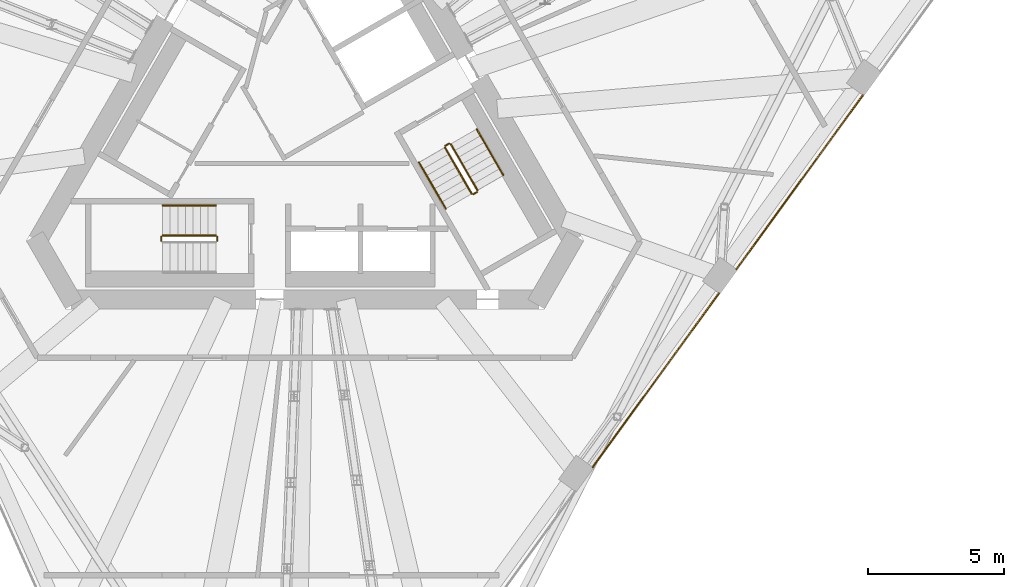
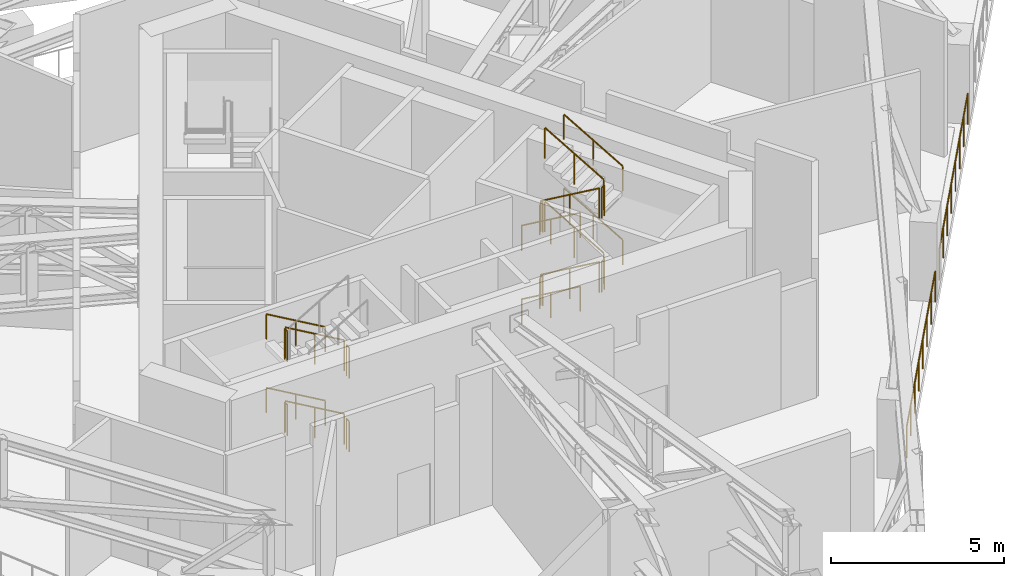
# One storey, part 17 of 20: 22 railings.
"""IFC4 building model written with IfcOpenShell, lengths in metres."""

from ifc_helpers import new_model, si_unit, direction, frame, origin, origin_2d, place, context, subcontext, project, spatial, circle, extrude, material, type_object, element, save


model = new_model("IFC4")

# Units and contexts
model_context = context("Model", 3, precision=1e-05, world=origin(), true_north=direction((0.0, 1.0)))
body_context = subcontext(model_context, "Body", "Model", "MODEL_VIEW")
ifc_project = project(units=[si_unit("LENGTHUNIT", "METRE"), si_unit("AREAUNIT", "SQUARE_METRE"), si_unit("VOLUMEUNIT", "CUBIC_METRE"), si_unit("PLANEANGLEUNIT", "RADIAN"), si_unit("MASSUNIT", "GRAM", prefix="KILO")], contexts=[model_context])

# Site, building, storey
site_placement = place(None, origin())
site = spatial("IfcSite", under=ifc_project, at=site_placement, CompositionType="ELEMENT")
building_placement = place(site_placement, origin())
building = spatial("IfcBuilding", under=site, at=building_placement, Name="Tramontana Tower", CompositionType="ELEMENT")
storey_placement = place(building_placement, frame((0.0, 0.0, 269.199951171875)))
storey = spatial("IfcBuildingStorey", under=building, at=storey_placement, Name="L63", CompositionType="ELEMENT", Elevation=269.199951171875)

# Railings
ifc_material_1 = material(Name="Stainless steel rail and posts", Category="steel")
railing_type_1 = type_object("IfcRailingType", Name="GD2 Terrace guard 1100", PredefinedType="GUARDRAIL", material=ifc_material_1)
railing_1_placement = place(storey_placement, frame((10.580078125, -12.573486328125, 0.0)))
element("IfcRailing", 1, at=railing_1_placement, inside=storey, type_object=railing_type_1, Name="Edge guard L63 14", PredefinedType="GUARDRAIL", context=body_context, shape_type="SweptSolid", body=[
    extrude(circle(Radius=0.02392578125, at=origin_2d()), frame((0.0, 0.0, 1.076171875), z_axis=(0.587782407267, 0.809019061399, 0.0), x_axis=(-0.809019061399, 0.587782407267, 0.0)), (0.0, 0.0, 1.0), 7.90673828125),
    extrude(circle(Radius=0.02099609375, at=origin_2d()), origin(), (0.0, 0.0, 1.0), 1.052001953125),
    extrude(circle(Radius=0.02099609375, at=origin_2d()), frame((0.663818359375, 0.913818359375, 0.0)), (0.0, 0.0, 1.0), 1.052001953125),
    extrude(circle(Radius=0.02099609375, at=origin_2d()), frame((1.327880859375, 1.82763671875, 0.0)), (0.0, 0.0, 1.0), 1.052001953125),
    extrude(circle(Radius=0.02099609375, at=origin_2d()), frame((1.99169921875, 2.741455078125, 0.0)), (0.0, 0.0, 1.0), 1.052001953125),
    extrude(circle(Radius=0.02099609375, at=origin_2d()), frame((2.65576171875, 3.6552734375, 0.0)), (0.0, 0.0, 1.0), 1.052001953125),
    extrude(circle(Radius=0.02099609375, at=origin_2d()), frame((3.319580078125, 4.569091796875, 0.0)), (0.0, 0.0, 1.0), 1.052001953125),
    extrude(circle(Radius=0.02099609375, at=origin_2d()), frame((3.983642578125, 5.48291015625, 0.0)), (0.0, 0.0, 1.0), 1.052001953125),
    extrude(circle(Radius=0.02099609375, at=origin_2d()), frame((4.6474609375, 6.396728515625, 0.0)), (0.0, 0.0, 1.0), 1.052001953125),
])
railing_2_placement = place(storey_placement, frame((15.8740234375, -5.286865234375, 0.0)))
element("IfcRailing", 2, at=railing_2_placement, inside=storey, type_object=railing_type_1, Name="Edge guard L63 16", PredefinedType="GUARDRAIL", context=body_context, shape_type="SweptSolid", body=[
    extrude(circle(Radius=0.02392578125, at=origin_2d()), frame((0.0, 0.0, 1.076171875), z_axis=(0.587797090585, 0.80900839322, 0.0), x_axis=(-0.80900839322, 0.587797090585, 0.0)), (0.0, 0.0, 1.0), 7.906494140625),
    extrude(circle(Radius=0.02099609375, at=origin_2d()), origin(), (0.0, 0.0, 1.0), 1.052001953125),
    extrude(circle(Radius=0.02099609375, at=origin_2d()), frame((0.663818359375, 0.913818359375, 0.0)), (0.0, 0.0, 1.0), 1.052001953125),
    extrude(circle(Radius=0.02099609375, at=origin_2d()), frame((1.327880859375, 1.82763671875, 0.0)), (0.0, 0.0, 1.0), 1.052001953125),
    extrude(circle(Radius=0.02099609375, at=origin_2d()), frame((1.99169921875, 2.741455078125, 0.0)), (0.0, 0.0, 1.0), 1.052001953125),
    extrude(circle(Radius=0.02099609375, at=origin_2d()), frame((2.65576171875, 3.655029296875, 0.0)), (0.0, 0.0, 1.0), 1.052001953125),
    extrude(circle(Radius=0.02099609375, at=origin_2d()), frame((3.319580078125, 4.56884765625, 0.0)), (0.0, 0.0, 1.0), 1.052001953125),
    extrude(circle(Radius=0.02099609375, at=origin_2d()), frame((3.983642578125, 5.482666015625, 0.0)), (0.0, 0.0, 1.0), 1.052001953125),
    extrude(circle(Radius=0.02099609375, at=origin_2d()), frame((4.6474609375, 6.396484375, 0.0)), (0.0, 0.0, 1.0), 1.052001953125),
])
ifc_material_2 = material(Name="Painted steel", Category="steel")
railing_type_2 = type_object("IfcRailingType", Name="STAIR GUARD 1100", PredefinedType="GUARDRAIL", material=ifc_material_2)
railing_3_placement = place(storey_placement, frame((-3.280029296875, -4.050048828125, 0.16259765625)))
element("IfcRailing", 3, at=railing_3_placement, inside=storey, type_object=railing_type_2, Name="L63 ST2 stair guard 1", PredefinedType="GUARDRAIL", context=body_context, shape_type="SweptSolid", body=[
    extrude(circle(Radius=0.02392578125, at=origin_2d()), frame((0.0, 0.0, 1.076171875), z_axis=(-0.864902109995, 0.0, 0.501940574298), x_axis=(0.0, -1.0, 0.0)), (0.0, 0.0, 1.0), 2.26611328125),
    extrude(circle(Radius=0.02099609375, at=origin_2d()), origin(), (0.0, 0.0, 1.0), 1.052001953125),
    extrude(circle(Radius=0.02099609375, at=origin_2d()), frame((-0.97998046875, 0.0, 0.56884765625)), (0.0, 0.0, 1.0), 1.052001953125),
    extrude(circle(Radius=0.02099609375, at=origin_2d()), frame((-1.9599609375, 0.0, 1.137451171875)), (0.0, 0.0, 1.0), 1.052001953125),
])
railing_4_placement = place(storey_placement, frame((-3.280029296875, -4.050048828125, 2.762451171875)))
element("IfcRailing", 4, at=railing_4_placement, inside=storey, type_object=railing_type_2, Name="L63 ST2 stair guard 3", PredefinedType="GUARDRAIL", context=body_context, shape_type="SweptSolid", body=[
    extrude(circle(Radius=0.02392578125, at=origin_2d()), frame((0.0, 0.0, 1.076171875), z_axis=(-0.864855337533, 0.0, 0.502021160053), x_axis=(0.0, -1.0, 0.0)), (0.0, 0.0, 1.0), 2.26611328125),
    extrude(circle(Radius=0.02099609375, at=origin_2d()), origin(), (0.0, 0.0, 1.0), 1.052001953125),
    extrude(circle(Radius=0.02099609375, at=origin_2d()), frame((-0.97998046875, 0.0, 0.56884765625)), (0.0, 0.0, 1.0), 1.052001953125),
    extrude(circle(Radius=0.02099609375, at=origin_2d()), frame((-1.9599609375, 0.0, 1.1376953125)), (0.0, 0.0, 1.0), 1.052001953125),
])
for number, where, name in (
    (5, (-5.2900390625, -4.10009765625, 1.300048828125), "L63 ST2 stair guard 5"),
    (6, (-3.22998046875, -4.10009765625, 2.60009765625), "L63 ST2 stair guard 6"),
    (7, (-5.2900390625, -4.10009765625, 3.900146484375), "L63 ST2 stair guard 7"),
    (8, (-3.22998046875, -4.10009765625, 0.0), "L63 ST2 stair guard 8"),
):
    element("IfcRailing", number, at=place(storey_placement, frame(where)), inside=storey, type_object=railing_type_2, Name=name, PredefinedType="GUARDRAIL", context=body_context, shape_type="SweptSolid", body=[
        extrude(circle(Radius=0.02392578125, at=origin_2d()), frame((0.0, 0.0, 1.076171875), z_axis=(0.0, -1.0, 0.0), x_axis=(1.0, 0.0, 0.0)), (0.0, 0.0, 1.0), 0.14990234375),
        extrude(circle(Radius=0.02099609375, at=origin_2d()), origin(), (0.0, 0.0, 1.0), 1.052001953125),
        extrude(circle(Radius=0.02099609375, at=origin_2d()), frame((0.0, -0.14990234375, 0.0)), (0.0, 0.0, 1.0), 1.052001953125),
    ])
railing_5_placement = place(storey_placement, frame((5.1474609375, -0.815673828125, 0.16259765625)))
element("IfcRailing", 9, at=railing_5_placement, inside=storey, type_object=railing_type_2, Name="L63 ST3 stair guard 1", PredefinedType="GUARDRAIL", context=body_context, shape_type="SweptSolid", body=[
    extrude(circle(Radius=0.02392578125, at=origin_2d()), frame((0.0, 0.0, 1.076171875), z_axis=(0.432466826973, -0.749005824891, 0.501958880634), x_axis=(0.866011328839, 0.500024377727, 0.0)), (0.0, 0.0, 1.0), 2.26611328125),
    extrude(circle(Radius=0.02099609375, at=origin_2d()), origin(), (0.0, 0.0, 1.0), 1.052001953125),
    extrude(circle(Radius=0.02099609375, at=origin_2d()), frame((0.489990234375, -0.8486328125, 0.56884765625)), (0.0, 0.0, 1.0), 1.052001953125),
    extrude(circle(Radius=0.02099609375, at=origin_2d()), frame((0.97998046875, -1.697265625, 1.137451171875)), (0.0, 0.0, 1.0), 1.052001953125),
])
railing_6_placement = place(storey_placement, frame((6.343994140625, -2.387939453125, 1.462646484375)))
element("IfcRailing", 10, at=railing_6_placement, inside=storey, type_object=railing_type_2, Name="L63 ST3 stair guard 2", PredefinedType="GUARDRAIL", context=body_context, shape_type="SweptSolid", body=[
    extrude(circle(Radius=0.02392578125, at=origin_2d()), frame((0.0, 0.0, 1.076171875), z_axis=(-0.432466826973, 0.749005824891, 0.501958880634), x_axis=(-0.866011328839, -0.500024377727, 0.0)), (0.0, 0.0, 1.0), 2.26611328125),
    extrude(circle(Radius=0.02099609375, at=origin_2d()), origin(), (0.0, 0.0, 1.0), 1.052001953125),
    extrude(circle(Radius=0.02099609375, at=origin_2d()), frame((-0.489990234375, 0.8486328125, 0.56884765625)), (0.0, 0.0, 1.0), 1.052001953125),
    extrude(circle(Radius=0.02099609375, at=origin_2d()), frame((-0.97998046875, 1.697265625, 1.137451171875)), (0.0, 0.0, 1.0), 1.052001953125),
])
railing_7_placement = place(storey_placement, frame((5.1474609375, -0.815673828125, 2.762451171875)))
element("IfcRailing", 11, at=railing_7_placement, inside=storey, type_object=railing_type_2, Name="L63 ST3 stair guard 3", PredefinedType="GUARDRAIL", context=body_context, shape_type="SweptSolid", body=[
    extrude(circle(Radius=0.02392578125, at=origin_2d()), frame((0.0, 0.0, 1.076171875), z_axis=(0.432443438183, -0.748965316953, 0.502039467347), x_axis=(0.866011328839, 0.500024377727, 0.0)), (0.0, 0.0, 1.0), 2.26611328125),
    extrude(circle(Radius=0.02099609375, at=origin_2d()), origin(), (0.0, 0.0, 1.0), 1.052001953125),
    extrude(circle(Radius=0.02099609375, at=origin_2d()), frame((0.489990234375, -0.8486328125, 0.56884765625)), (0.0, 0.0, 1.0), 1.052001953125),
    extrude(circle(Radius=0.02099609375, at=origin_2d()), frame((0.97998046875, -1.697265625, 1.1376953125)), (0.0, 0.0, 1.0), 1.052001953125),
])
railing_8_placement = place(storey_placement, frame((6.343994140625, -2.387939453125, 4.0625)))
element("IfcRailing", 12, at=railing_8_placement, inside=storey, type_object=railing_type_2, Name="L63 ST3 stair guard 4", PredefinedType="GUARDRAIL", context=body_context, shape_type="SweptSolid", body=[
    extrude(circle(Radius=0.02392578125, at=origin_2d()), frame((0.0, 0.0, 1.076171875), z_axis=(-0.432466826973, 0.749005824891, 0.501958880634), x_axis=(-0.866011328839, -0.500024377727, 0.0)), (0.0, 0.0, 1.0), 2.26611328125),
    extrude(circle(Radius=0.02099609375, at=origin_2d()), origin(), (0.0, 0.0, 1.0), 1.052001953125),
    extrude(circle(Radius=0.02099609375, at=origin_2d()), frame((-0.489990234375, 0.8486328125, 0.56884765625)), (0.0, 0.0, 1.0), 1.052001953125),
    extrude(circle(Radius=0.02099609375, at=origin_2d()), frame((-0.97998046875, 1.697265625, 1.137451171875)), (0.0, 0.0, 1.0), 1.052001953125),
])
for number, where, name in (
    (13, (6.19580078125, -2.53125, 1.300048828125), "L63 ST3 stair guard 5"),
    (14, (5.165771484375, -0.747314453125, 2.60009765625), "L63 ST3 stair guard 6"),
    (15, (6.19580078125, -2.53125, 3.900146484375), "L63 ST3 stair guard 7"),
    (16, (5.165771484375, -0.747314453125, 0.0), "L63 ST3 stair guard 8"),
):
    element("IfcRailing", number, at=place(storey_placement, frame(where)), inside=storey, type_object=railing_type_2, Name=name, PredefinedType="GUARDRAIL", context=body_context, shape_type="SweptSolid", body=[
        extrude(circle(Radius=0.02392578125, at=origin_2d()), frame((0.0, 0.0, 1.076171875), z_axis=(0.866131372301, 0.499816412211, 0.0), x_axis=(-0.499816412211, 0.866131372301, 0.0)), (0.0, 0.0, 1.0), 0.14990234375),
        extrude(circle(Radius=0.02099609375, at=origin_2d()), origin(), (0.0, 0.0, 1.0), 1.052001953125),
        extrude(circle(Radius=0.02099609375, at=origin_2d()), frame((0.1298828125, 0.074951171875, 0.0)), (0.0, 0.0, 1.0), 1.052001953125),
    ])
ifc_material_3 = material(Name="Painted steel", Category="steel")
railing_type_3 = type_object("IfcRailingType", Name="STAIR HANDRAIL 900", PredefinedType="HANDRAIL", material=ifc_material_3)
railing_9_placement = place(storey_placement, frame((-3.280029296875, -2.949951171875, 0.16259765625)))
element("IfcRailing", 17, at=railing_9_placement, inside=storey, type_object=railing_type_3, Name="L63 ST2 stair handrail 1", PredefinedType="HANDRAIL", context=body_context, shape_type="SweptSolid", body=[
    extrude(circle(Radius=0.02392578125, at=origin_2d()), frame((0.0, 0.0, 0.8759765625), z_axis=(-0.864902109995, 0.0, 0.501940574298), x_axis=(0.0, -1.0, 0.0)), (0.0, 0.0, 1.0), 2.26611328125),
    extrude(circle(Radius=0.02099609375, at=origin_2d()), origin(), (0.0, 0.0, 1.0), 0.851806640625),
    extrude(circle(Radius=0.02099609375, at=origin_2d()), frame((-0.97998046875, 0.0, 0.56884765625)), (0.0, 0.0, 1.0), 0.851806640625),
    extrude(circle(Radius=0.02099609375, at=origin_2d()), frame((-1.9599609375, 0.0, 1.137451171875)), (0.0, 0.0, 1.0), 0.851806640625),
])
railing_10_placement = place(storey_placement, frame((-3.280029296875, -2.949951171875, 2.762451171875)))
element("IfcRailing", 18, at=railing_10_placement, inside=storey, type_object=railing_type_3, Name="L63 ST2 stair handrail 3", PredefinedType="HANDRAIL", context=body_context, shape_type="SweptSolid", body=[
    extrude(circle(Radius=0.02392578125, at=origin_2d()), frame((0.0, 0.0, 0.8759765625), z_axis=(-0.864855337533, 0.0, 0.502021160053), x_axis=(0.0, -1.0, 0.0)), (0.0, 0.0, 1.0), 2.26611328125),
    extrude(circle(Radius=0.02099609375, at=origin_2d()), origin(), (0.0, 0.0, 1.0), 0.851806640625),
    extrude(circle(Radius=0.02099609375, at=origin_2d()), frame((-0.97998046875, 0.0, 0.56884765625)), (0.0, 0.0, 1.0), 0.851806640625),
    extrude(circle(Radius=0.02099609375, at=origin_2d()), frame((-1.9599609375, 0.0, 1.1376953125)), (0.0, 0.0, 1.0), 0.851806640625),
])
railing_11_placement = place(storey_placement, frame((4.19482421875, -1.365478515625, 0.16259765625)))
element("IfcRailing", 19, at=railing_11_placement, inside=storey, type_object=railing_type_3, Name="L63 ST3 stair handrail 1", PredefinedType="HANDRAIL", context=body_context, shape_type="SweptSolid", body=[
    extrude(circle(Radius=0.02392578125, at=origin_2d()), frame((0.0, 0.0, 0.8759765625), z_axis=(0.432431929651, -0.749053115811, 0.501918375746), x_axis=(0.866042469362, 0.499970440388, 0.0)), (0.0, 0.0, 1.0), 2.26611328125),
    extrude(circle(Radius=0.02099609375, at=origin_2d()), origin(), (0.0, 0.0, 1.0), 0.851806640625),
    extrude(circle(Radius=0.02099609375, at=origin_2d()), frame((0.489990234375, -0.8486328125, 0.56884765625)), (0.0, 0.0, 1.0), 0.851806640625),
    extrude(circle(Radius=0.02099609375, at=origin_2d()), frame((0.97998046875, -1.697509765625, 1.137451171875)), (0.0, 0.0, 1.0), 0.851806640625),
])
railing_12_placement = place(storey_placement, frame((7.296630859375, -1.837890625, 1.462646484375)))
element("IfcRailing", 20, at=railing_12_placement, inside=storey, type_object=railing_type_3, Name="L63 ST3 stair handrail 2", PredefinedType="HANDRAIL", context=body_context, shape_type="SweptSolid", body=[
    extrude(circle(Radius=0.02392578125, at=origin_2d()), frame((0.0, 0.0, 0.8759765625), z_axis=(-0.432466826973, 0.749005824891, 0.501958880634), x_axis=(-0.866011328839, -0.500024377727, 0.0)), (0.0, 0.0, 1.0), 2.26611328125),
    extrude(circle(Radius=0.02099609375, at=origin_2d()), origin(), (0.0, 0.0, 1.0), 0.851806640625),
    extrude(circle(Radius=0.02099609375, at=origin_2d()), frame((-0.489990234375, 0.8486328125, 0.56884765625)), (0.0, 0.0, 1.0), 0.851806640625),
    extrude(circle(Radius=0.02099609375, at=origin_2d()), frame((-0.97998046875, 1.697265625, 1.137451171875)), (0.0, 0.0, 1.0), 0.851806640625),
])
railing_13_placement = place(storey_placement, frame((4.19482421875, -1.365478515625, 2.762451171875)))
element("IfcRailing", 21, at=railing_13_placement, inside=storey, type_object=railing_type_3, Name="L63 ST3 stair handrail 3", PredefinedType="HANDRAIL", context=body_context, shape_type="SweptSolid", body=[
    extrude(circle(Radius=0.02392578125, at=origin_2d()), frame((0.0, 0.0, 0.8759765625), z_axis=(0.432408546523, -0.749012611852, 0.501998960338), x_axis=(0.866042469362, 0.499970440388, 0.0)), (0.0, 0.0, 1.0), 2.266357421875),
    extrude(circle(Radius=0.02099609375, at=origin_2d()), origin(), (0.0, 0.0, 1.0), 0.851806640625),
    extrude(circle(Radius=0.02099609375, at=origin_2d()), frame((0.489990234375, -0.8486328125, 0.56884765625)), (0.0, 0.0, 1.0), 0.851806640625),
    extrude(circle(Radius=0.02099609375, at=origin_2d()), frame((0.97998046875, -1.697509765625, 1.1376953125)), (0.0, 0.0, 1.0), 0.851806640625),
])
railing_14_placement = place(storey_placement, frame((7.296630859375, -1.837890625, 4.0625)))
element("IfcRailing", 22, at=railing_14_placement, inside=storey, type_object=railing_type_3, Name="L63 ST3 stair handrail 4", PredefinedType="HANDRAIL", context=body_context, shape_type="SweptSolid", body=[
    extrude(circle(Radius=0.02392578125, at=origin_2d()), frame((0.0, 0.0, 0.8759765625), z_axis=(-0.432466826973, 0.749005824891, 0.501958880634), x_axis=(-0.866011328839, -0.500024377727, 0.0)), (0.0, 0.0, 1.0), 2.26611328125),
    extrude(circle(Radius=0.02099609375, at=origin_2d()), origin(), (0.0, 0.0, 1.0), 0.851806640625),
    extrude(circle(Radius=0.02099609375, at=origin_2d()), frame((-0.489990234375, 0.8486328125, 0.56884765625)), (0.0, 0.0, 1.0), 0.851806640625),
    extrude(circle(Radius=0.02099609375, at=origin_2d()), frame((-0.97998046875, 1.697265625, 1.137451171875)), (0.0, 0.0, 1.0), 0.851806640625),
])

save(model, "model.ifc")
